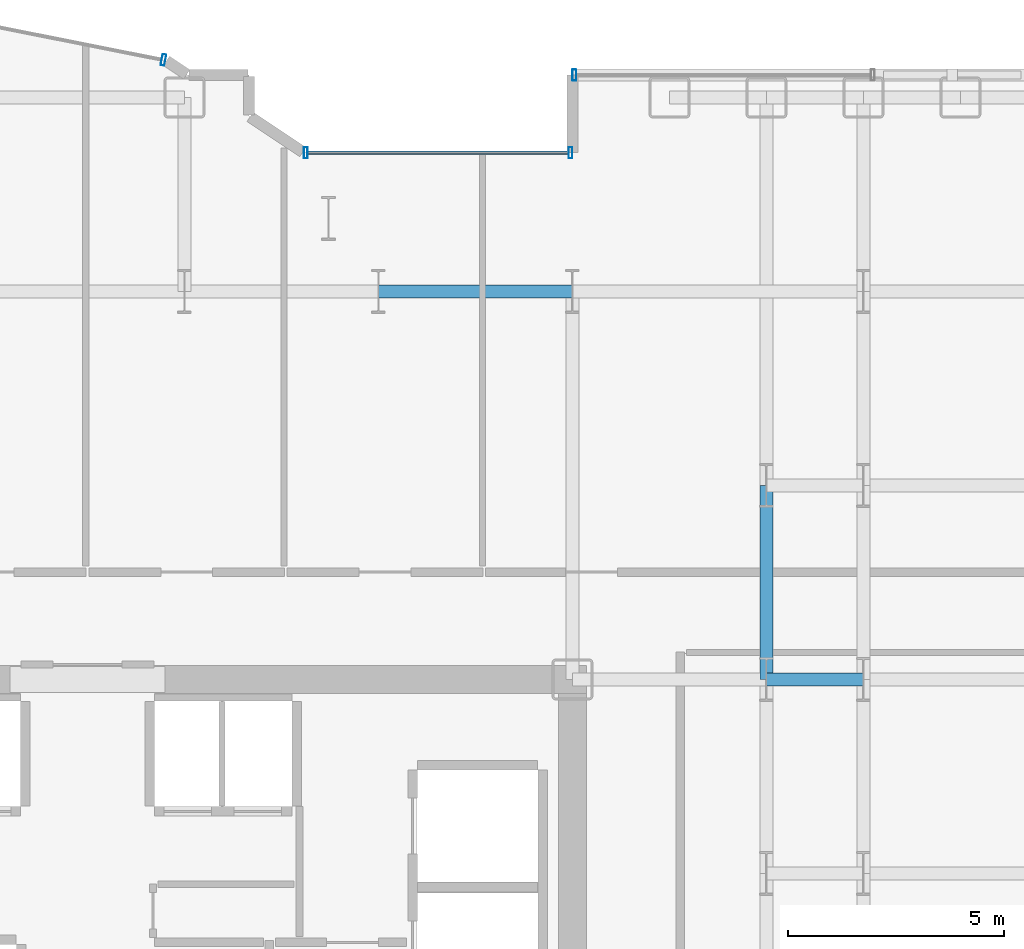
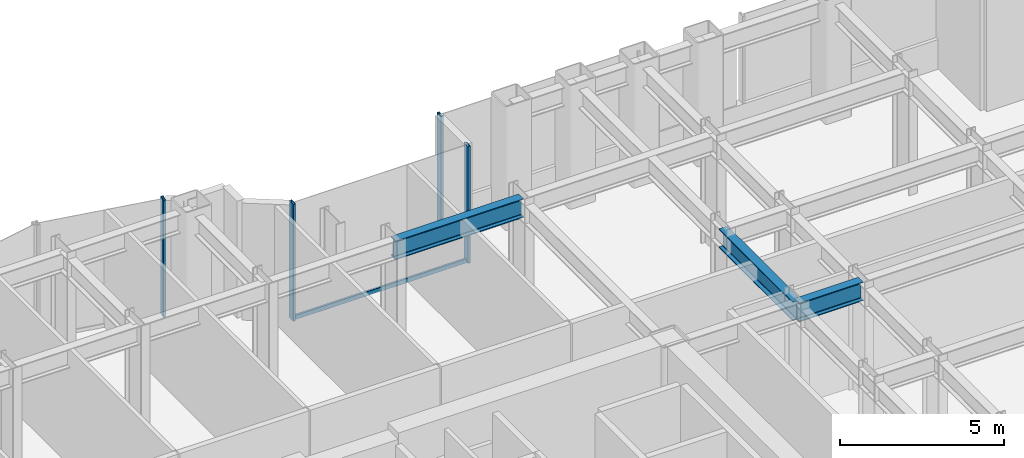
# One storey, part 15 of 30: 5 members, 3 beams, 3 elements without a shape of their own.
"""IFC4 building model written with IfcOpenShell, lengths in metres."""

import ifcopenshell
import ifcopenshell.guid

model = None  # the IFC model being written
_history = None  # IfcOwnerHistory: only IFC2X3 demands one
_inside = {}  # id of a spatial element -> (the spatial element, [elements in it])
_under = {}  # id of a project, library or spatial element -> (it, [spatial elements below it])
_declared = {}  # id of a project -> (the project, [libraries it declares])
_typed = {}  # id of a type object -> (the type object, [elements of that type])
_made_of = {}  # id of a material, layer set ... -> (it, [elements and type objects made of it])


def new_model(schema):
    """Start an empty IFC model of exactly this schema.

    Asked for "IFC4X3", IfcOpenShell would pick the latest addendum, in which some entities
    have other attributes; the version numbers below select the first issue.
    IFC2X3 requires an IfcOwnerHistory on every rooted entity: one is made here for all.
    """
    global model, _history
    if schema == "IFC4X3":
        model = ifcopenshell.file(schema_version=(4, 3, 0, 0))
    else:
        model = ifcopenshell.file(schema=schema)
    _inside.clear()
    _under.clear()
    _declared.clear()
    _typed.clear()
    _made_of.clear()
    _history = None
    if model.schema == "IFC2X3":
        org = make("IfcOrganization", Name="unknown")
        user = make(
            "IfcPersonAndOrganization",
            ThePerson=make("IfcPerson", FamilyName="unknown"),
            TheOrganization=org,
        )
        app = make(
            "IfcApplication",
            ApplicationDeveloper=org,
            Version="unknown",
            ApplicationFullName="unknown",
            ApplicationIdentifier="unknown",
        )
        _history = make(
            "IfcOwnerHistory",
            OwningUser=user,
            OwningApplication=app,
            ChangeAction="ADDED",
            CreationDate=0,
        )
    return model


def make(cls, **values):
    """One entity of the class cls with the attributes given. An attribute that is None is left unset."""
    return model.create_entity(
        cls, **{name: value for name, value in values.items() if value is not None}
    )


def rooted(cls, **values):
    """An entity with a GlobalId (a new one), such as an element, a storey or a relation."""
    return make(cls, GlobalId=ifcopenshell.guid.new(), OwnerHistory=_history, **values)


def si_unit(unit_type, name, prefix=None):
    """IfcSIUnit, for example si_unit("LENGTHUNIT", "METRE", prefix="MILLI")."""
    return make("IfcSIUnit", UnitType=unit_type, Prefix=prefix, Name=name)


def assignment(units):
    """IfcUnitAssignment: the units of a project."""
    return None if units is None else make("IfcUnitAssignment", Units=units)


def point(xyz):
    """IfcCartesianPoint."""
    return None if xyz is None else make("IfcCartesianPoint", Coordinates=xyz)


def direction(xyz):
    """IfcDirection."""
    return None if xyz is None else make("IfcDirection", DirectionRatios=xyz)


def frame(location, z_axis=None, x_axis=None):
    """IfcAxis2Placement3D, a coordinate frame: its origin and axes. An axis left out is left unset."""
    return make(
        "IfcAxis2Placement3D",
        Location=point(location),
        Axis=direction(z_axis),
        RefDirection=direction(x_axis),
    )


def frame_2d(location, x_axis=None):
    """IfcAxis2Placement2D, a coordinate frame in the plane: its origin and x axis."""
    return make(
        "IfcAxis2Placement2D", Location=point(location), RefDirection=direction(x_axis)
    )


def origin():
    """The frame at (0, 0, 0) with its axes left unset."""
    return frame((0.0, 0.0, 0.0))


def origin_2d():
    """The frame at (0, 0) in the plane with its x axis left unset."""
    return frame_2d((0.0, 0.0))


def place(relative_to, where):
    """IfcLocalPlacement: puts the frame where relative to a parent placement (None: the world)."""
    return make(
        "IfcLocalPlacement", PlacementRelTo=relative_to, RelativePlacement=where
    )


def context(
    kind, dimensions, precision=None, world=None, true_north=None, identifier=None
):
    """IfcGeometricRepresentationContext, for example the 3D "Model" context."""
    return make(
        "IfcGeometricRepresentationContext",
        ContextIdentifier=identifier,
        ContextType=kind,
        CoordinateSpaceDimension=dimensions,
        Precision=precision,
        WorldCoordinateSystem=world,
        TrueNorth=true_north,
    )


def subcontext(parent, identifier, kind, view, scale=None):
    """IfcGeometricRepresentationSubContext, for example "Body" below "Model"."""
    return make(
        "IfcGeometricRepresentationSubContext",
        ContextIdentifier=identifier,
        ContextType=kind,
        ParentContext=parent,
        TargetScale=scale,
        TargetView=view,
    )


def project(units=None, contexts=None):
    """IfcProject with its units and contexts."""
    return rooted(
        "IfcProject",
        Name="project",
        RepresentationContexts=contexts,
        UnitsInContext=assignment(units),
    )


def spatial(cls, under=None, at=None, **own):
    """A site, building, storey or space (cls), placed at a placement, below another one or the project."""
    s = rooted(cls, ObjectPlacement=at, **own)
    if under is not None:
        _under.setdefault(under.id(), (under, []))[1].append(s)
    return s


def profile(cls, at=None, kind="AREA", **sizes):
    """A parametric profile (cls). Its sizes go by their IFC names, for example OverallWidth=200.0."""
    return make(cls, ProfileType=kind, Position=at, **sizes)


def hollow_rectangle(**sizes):
    """IfcRectangleHollowProfileDef."""
    return profile("IfcRectangleHollowProfileDef", **sizes)


def i_section(**sizes):
    """IfcIShapeProfileDef."""
    return profile("IfcIShapeProfileDef", **sizes)


def extrude(swept, where, along, depth):
    """IfcExtrudedAreaSolid: the profile swept, set in the frame where, extruded along a direction by depth."""
    return make(
        "IfcExtrudedAreaSolid",
        SweptArea=swept,
        Position=where,
        ExtrudedDirection=direction(along),
        Depth=depth,
    )


def shape(context_of_items, identifier, shape_type, items):
    """IfcShapeRepresentation: the items that make up one representation, for example the "Body"."""
    return make(
        "IfcShapeRepresentation",
        ContextOfItems=context_of_items,
        RepresentationIdentifier=identifier,
        RepresentationType=shape_type,
        Items=items,
    )


def source(mapping_origin, context_of_items, identifier, shape_type, items):
    """IfcRepresentationMap: a shape defined once, which mapped items show again and again."""
    return make(
        "IfcRepresentationMap",
        MappingOrigin=mapping_origin,
        MappedRepresentation=shape(context_of_items, identifier, shape_type, items),
    )


def transform(
    local_origin,
    x_axis=None,
    y_axis=None,
    z_axis=None,
    scale=None,
    scale2=None,
    scale3=None,
    uniform=True,
):
    """IfcCartesianTransformationOperator3D, or its non-uniform kind. x_axis, y_axis, z_axis: its Axis1, 2, 3."""
    if uniform:
        return make(
            "IfcCartesianTransformationOperator3D",
            Axis1=direction(x_axis),
            Axis2=direction(y_axis),
            LocalOrigin=point(local_origin),
            Scale=scale,
            Axis3=direction(z_axis),
        )
    return make(
        "IfcCartesianTransformationOperator3DnonUniform",
        Axis1=direction(x_axis),
        Axis2=direction(y_axis),
        LocalOrigin=point(local_origin),
        Scale=scale,
        Axis3=direction(z_axis),
        Scale2=scale2,
        Scale3=scale3,
    )


def mapped(mapping_source, mapping_target):
    """IfcMappedItem: shows the shape of a source again, moved by a transform."""
    return make(
        "IfcMappedItem", MappingSource=mapping_source, MappingTarget=mapping_target
    )


def material(Name=None, Category=None):
    """IfcMaterial."""
    return make("IfcMaterial", Name=Name, Category=Category)


def layer(
    of_material, thickness, ventilated=None, Name=None, Category=None, Priority=None
):
    """IfcMaterialLayer: one layer of a wall or slab, of a material (None: an air gap)."""
    return make(
        "IfcMaterialLayer",
        Material=of_material,
        LayerThickness=thickness,
        IsVentilated=ventilated,
        Name=Name,
        Category=Category,
        Priority=Priority,
    )


def layer_set(layers, Name=None):
    """IfcMaterialLayerSet."""
    return make("IfcMaterialLayerSet", MaterialLayers=layers, LayerSetName=Name)


def material_profile(
    of_material, cross_section, Name=None, Category=None, Priority=None
):
    """IfcMaterialProfile: a cross section and its material."""
    return make(
        "IfcMaterialProfile",
        Name=Name,
        Material=of_material,
        Profile=cross_section,
        Priority=Priority,
        Category=Category,
    )


def profile_set(profiles, Name=None, composite=None):
    """IfcMaterialProfileSet."""
    return make(
        "IfcMaterialProfileSet",
        Name=Name,
        MaterialProfiles=profiles,
        CompositeProfile=composite,
    )


def made_of(thing, what):
    """Note that an element or type object is made of a material, layer set ...; save() writes the relation."""
    if what is not None:
        _made_of.setdefault(what.id(), (what, []))[1].append(thing)
    return thing


def type_object(cls, material=None, **own):
    """A type object (cls), such as IfcWallType, which elements share."""
    return made_of(rooted(cls, **own), material)


def element(
    cls,
    number,
    at=None,
    inside=None,
    cuts=None,
    type_object=None,
    material=None,
    context=None,
    identifier="Body",
    shape_type=None,
    held_by="IfcProductDefinitionShape",
    body=None,
    shapes=None,
    **own,
):
    """One element of the class cls, such as IfcWall. Its Tag is "e" and its number.

    at: its placement. inside: the storey or other place that contains it. cuts: it is an
    opening in that element (IfcRelVoidsElement). A single representation is given by context,
    identifier, shape_type and body (its items); several are given by shapes. held_by: the class
    of the entity that holds the representations. save() writes the other relations.
    """
    e = rooted(cls, Tag="e%d" % number, ObjectPlacement=at, **own)
    if body is not None:
        shapes = [shape(context, identifier, shape_type, body)]
    if shapes is not None:
        e.Representation = make(held_by, Representations=shapes)
    if inside is not None:
        _inside.setdefault(inside.id(), (inside, []))[1].append(e)
    if cuts is not None:
        rooted(
            "IfcRelVoidsElement", RelatingBuildingElement=cuts, RelatedOpeningElement=e
        )
    if type_object is not None:
        _typed.setdefault(type_object.id(), (type_object, []))[1].append(e)
    return made_of(e, material)


def aggregate(whole, parts):
    """IfcRelAggregates: a whole, such as a stair, and the parts it consists of."""
    return rooted("IfcRelAggregates", RelatingObject=whole, RelatedObjects=parts)


def save(model, path):
    """Write the relations noted so far, then the file.

    IfcRelAggregates (storeys below a building ...), IfcRelContainedInSpatialStructure (elements
    in a storey), IfcRelDefinesByType, IfcRelAssociatesMaterial and IfcRelDeclares: one each for
    every whole, place, type object, material and project.
    """
    for whole, parts in _under.values():
        aggregate(whole, parts)
    for where, things in _inside.values():
        rooted(
            "IfcRelContainedInSpatialStructure",
            RelatedElements=things,
            RelatingStructure=where,
        )
    for kind, things in _typed.values():
        rooted("IfcRelDefinesByType", RelatedObjects=things, RelatingType=kind)
    for what, things in _made_of.values():
        rooted("IfcRelAssociatesMaterial", RelatedObjects=things, RelatingMaterial=what)
    for by, libraries in _declared.values():
        rooted("IfcRelDeclares", RelatingContext=by, RelatedDefinitions=libraries)
    model.write(path)


model = new_model("IFC4")

# Units and contexts
model_context = context("Model", 3, precision=1e-05, world=origin(), true_north=direction((0.0, 1.0)))
body_context = subcontext(model_context, "Body", "Model", "MODEL_VIEW")
ifc_project = project(units=[si_unit("LENGTHUNIT", "METRE"), si_unit("AREAUNIT", "SQUARE_METRE"), si_unit("VOLUMEUNIT", "CUBIC_METRE"), si_unit("PLANEANGLEUNIT", "RADIAN"), si_unit("MASSUNIT", "GRAM", prefix="KILO")], contexts=[model_context])

# Site, building, storey
site_placement = place(None, origin())
site = spatial("IfcSite", under=ifc_project, at=site_placement, CompositionType="ELEMENT")
building_placement = place(site_placement, origin())
building = spatial("IfcBuilding", under=site, at=building_placement, Name="Nefas-Gora Pilgrimage Tower", CompositionType="ELEMENT")
storey_placement = place(building_placement, frame((0.0, 0.0, 86.199951171875)))
storey = spatial("IfcBuildingStorey", under=building, at=storey_placement, Name="L20", CompositionType="ELEMENT", Elevation=86.199951171875)

# Beams
ifc_material_1 = material(Name="Steel S355", Category="steel")
ifc_material_profile_1 = material_profile(ifc_material_1, i_section(OverallWidth=0.300048828125, OverallDepth=0.699951171875, WebThickness=0.01708984375, FlangeThickness=0.031982421875, FilletRadius=0.027099609375, at=origin_2d()), Name="HEB 700")
ifc_profile_set_1 = profile_set([ifc_material_profile_1], Name="Steel S355")
beam_type = type_object("IfcBeamType", Name="BM-GIR-HEB700", PredefinedType="BEAM", material=ifc_profile_set_1)
shared_shape_1 = source(origin(), body_context, "Body", "SweptSolid", [
    extrude(i_section(OverallWidth=0.300048828125, OverallDepth=0.699951171875, WebThickness=0.01708984375, FlangeThickness=0.031982421875, FilletRadius=0.027099609375, at=origin_2d()), origin(), (0.0, 0.0, 1.0), 4.5),
])
for number, where, z_axis, x_axis, name in (
    (1, (6.75, 18.0, 4.0), (1.0, 0.0, 0.0), (0.0, 1.0, 0.0), "L20 G-02 beam"),
    (2, (15.75, 9.0, 4.0), (0.0, 1.0, 0.0), (-1.0, 0.0, 0.0), "L20 G-02 beam"),
):
    element("IfcBeam", number, at=place(storey_placement, frame(where, z_axis=z_axis, x_axis=x_axis)), inside=storey, type_object=beam_type, Name=name, PredefinedType="BEAM", context=body_context, shape_type="MappedRepresentation", body=[
        mapped(shared_shape_1, transform((0.0, 0.0, 0.0), x_axis=(1.0, 0.0, 0.0), y_axis=(0.0, 1.0, 0.0), z_axis=(0.0, 0.0, 1.0), scale=1.0)),
    ])
shared_shape_2 = source(origin(), body_context, "Body", "SweptSolid", [
    extrude(i_section(OverallWidth=0.300048828125, OverallDepth=0.699951171875, WebThickness=0.01708984375, FlangeThickness=0.031982421875, FilletRadius=0.027099609375, at=origin_2d()), origin(), (0.0, 0.0, 1.0), 2.25),
])
beam_placement = place(storey_placement, frame((15.75, 9.0, 4.0), z_axis=(1.0, 0.0, 0.0), x_axis=(0.0, 1.0, 0.0)))
element("IfcBeam", 3, at=beam_placement, inside=storey, type_object=beam_type, Name="L20 G-02 beam", PredefinedType="BEAM", context=body_context, shape_type="MappedRepresentation", body=[
    mapped(shared_shape_2, transform((0.0, 0.0, 0.0), x_axis=(1.0, 0.0, 0.0), y_axis=(0.0, 1.0, 0.0), z_axis=(0.0, 0.0, 1.0), scale=1.0)),
])

# Curtain wall, members
ifc_material_2 = material(Name="Dark ceramic-fritted solar-control aluminium-glass curtain wall", Category="aluminium")
ifc_layer_1 = layer(ifc_material_2, 0.219970703125)
ifc_layer_set_1 = layer_set([ifc_layer_1], Name="Dark ceramic-fritted solar-control aluminium-glass curtain wall")
curtain_wall_type_1 = type_object("IfcCurtainWallType", Name="CW-SYS-5", PredefinedType="NOTDEFINED", material=ifc_layer_set_1)
curtain_wall_1_placement = place(storey_placement, origin())
curtain_wall_1 = element("IfcCurtainWall", 4, at=curtain_wall_1_placement, inside=storey, type_object=curtain_wall_type_1, Name="L20 Unitised Curtain Wall CW5", PredefinedType="NOTDEFINED")
ifc_material_3 = material(Name="Anodised architectural aluminium", Category="aluminium")
ifc_material_profile_2 = material_profile(ifc_material_3, hollow_rectangle(XDim=0.080078125, YDim=0.159912109375, WallThickness=0.00439453125, InnerFilletRadius=0.00439453125, OuterFilletRadius=0.009033203125, at=origin_2d()), Name="ALU TRANSOM 80x160")
ifc_profile_set_2 = profile_set([ifc_material_profile_2], Name="Anodised architectural aluminium")
member_type_1 = type_object("IfcMemberType", Name="CWM-TRN-5", PredefinedType="USERDEFINED", material=ifc_profile_set_2)
shared_shape_3 = source(origin(), body_context, "Body", "SweptSolid", [
    extrude(hollow_rectangle(XDim=0.080078125, YDim=0.159912109375, WallThickness=0.00439453125, InnerFilletRadius=0.00439453125, OuterFilletRadius=0.009033203125, at=origin_2d()), origin(), (0.0, 0.0, 1.0), 6.052001953125),
])
member_1_placement = place(storey_placement, frame((11.159912109375, 21.219970703125, 0.050048828125), z_axis=(-1.0, 0.0, 0.0), x_axis=(0.0, -1.0, 0.0)))
member_1 = element("IfcMember", 5, at=member_1_placement, type_object=member_type_1, Name="CW5 Spandrel Transom", ObjectType="TRANSOM", PredefinedType="USERDEFINED", context=body_context, shape_type="MappedRepresentation", body=[
    mapped(shared_shape_3, transform((0.0, 0.0, 0.0), x_axis=(1.0, 0.0, 0.0), y_axis=(0.0, 1.0, 0.0), z_axis=(0.0, 0.0, 1.0), scale=1.0)),
])
ifc_material_profile_3 = material_profile(ifc_material_3, hollow_rectangle(XDim=0.090087890625, YDim=0.260009765625, WallThickness=0.006103515625, InnerFilletRadius=0.006103515625, OuterFilletRadius=0.011962890625, at=origin_2d()), Name="ALU MULLION 90x260")
ifc_profile_set_3 = profile_set([ifc_material_profile_3], Name="Anodised architectural aluminium")
member_type_2 = type_object("IfcMemberType", Name="CWM-MUL-5", PredefinedType="MULLION", material=ifc_profile_set_3)
shared_shape_4 = source(origin(), body_context, "Body", "SweptSolid", [
    extrude(hollow_rectangle(XDim=0.090087890625, YDim=0.260009765625, WallThickness=0.006103515625, InnerFilletRadius=0.006103515625, OuterFilletRadius=0.011962890625, at=origin_2d()), origin(), (0.0, 0.0, 1.0), 4.35009765625),
])
member_2_placement = place(storey_placement, frame((11.205078125, 21.219970703125, 0.0), z_axis=(0.0, 0.0, 1.0), x_axis=(-1.0, 0.0, 0.0)))
member_2 = element("IfcMember", 6, at=member_2_placement, type_object=member_type_2, Name="CW5 Mullion 1", PredefinedType="MULLION", context=body_context, shape_type="MappedRepresentation", body=[
    mapped(shared_shape_4, transform((0.0, 0.0, 0.0), x_axis=(1.0, 0.0, 0.0), y_axis=(0.0, 1.0, 0.0), z_axis=(0.0, 0.0, 1.0), scale=1.0)),
])
member_3_placement = place(storey_placement, frame((5.06298828125, 21.219970703125, 0.0), z_axis=(0.0, 0.0, 1.0), x_axis=(-1.0, 0.0, 0.0)))
member_3 = element("IfcMember", 7, at=member_3_placement, type_object=member_type_2, Name="CW5 Mullion 2", PredefinedType="MULLION", context=body_context, shape_type="MappedRepresentation", body=[
    mapped(shared_shape_4, transform((0.0, 0.0, 0.0), x_axis=(1.0, 0.0, 0.0), y_axis=(0.0, 1.0, 0.0), z_axis=(0.0, 0.0, 1.0), scale=1.0)),
])
aggregate(curtain_wall_1, [member_2, member_3, member_1])

# Curtain wall, member
curtain_wall_2_placement = place(storey_placement, origin())
curtain_wall_2 = element("IfcCurtainWall", 8, at=curtain_wall_2_placement, inside=storey, type_object=curtain_wall_type_1, Name="L20 Unitised Curtain Wall CW5", PredefinedType="NOTDEFINED")
member_4_placement = place(storey_placement, frame((1.76318359375, 23.3740234375, 0.0), z_axis=(0.0, 0.0, 1.0), x_axis=(-0.980782896852, 0.195102304554, 0.0)))
member_4 = element("IfcMember", 9, at=member_4_placement, type_object=member_type_2, Name="CW5 Mullion 1", PredefinedType="MULLION", context=body_context, shape_type="MappedRepresentation", body=[
    mapped(shared_shape_4, transform((0.0, 0.0, 0.0), x_axis=(1.0, 0.0, 0.0), y_axis=(0.0, 1.0, 0.0), z_axis=(0.0, 0.0, 1.0), scale=1.0)),
])
aggregate(curtain_wall_2, [member_4])

ifc_layer_2 = layer(ifc_material_2, 0.219970703125)
ifc_layer_set_2 = layer_set([ifc_layer_2], Name="Dark ceramic-fritted solar-control aluminium-glass curtain wall")
curtain_wall_type_2 = type_object("IfcCurtainWallType", Name="CW-SYS-2", PredefinedType="NOTDEFINED", material=ifc_layer_set_2)
curtain_wall_3_placement = place(storey_placement, origin())
curtain_wall_3 = element("IfcCurtainWall", 10, at=curtain_wall_3_placement, inside=storey, type_object=curtain_wall_type_2, Name="L20 Unitised Curtain Wall CW2", PredefinedType="NOTDEFINED")
ifc_material_profile_4 = material_profile(ifc_material_3, hollow_rectangle(XDim=0.090087890625, YDim=0.260009765625, WallThickness=0.006103515625, InnerFilletRadius=0.006103515625, OuterFilletRadius=0.011962890625, at=origin_2d()), Name="ALU MULLION 90x260")
ifc_profile_set_4 = profile_set([ifc_material_profile_4], Name="Anodised architectural aluminium")
member_type_3 = type_object("IfcMemberType", Name="CWM-MUL-2", PredefinedType="MULLION", material=ifc_profile_set_4)
shared_shape_5 = source(origin(), body_context, "Body", "SweptSolid", [
    extrude(hollow_rectangle(XDim=0.090087890625, YDim=0.260009765625, WallThickness=0.006103515625, InnerFilletRadius=0.006103515625, OuterFilletRadius=0.011962890625, at=origin_2d()), origin(), (0.0, 0.0, 1.0), 4.35009765625),
])
member_5_placement = place(storey_placement, frame((11.294921875, 23.02001953125, 0.0), z_axis=(0.0, 0.0, 1.0), x_axis=(-1.0, 0.0, 0.0)))
member_5 = element("IfcMember", 11, at=member_5_placement, type_object=member_type_3, Name="CW2 Mullion 2", PredefinedType="MULLION", context=body_context, shape_type="MappedRepresentation", body=[
    mapped(shared_shape_5, transform((0.0, 0.0, 0.0), x_axis=(1.0, 0.0, 0.0), y_axis=(0.0, 1.0, 0.0), z_axis=(0.0, 0.0, 1.0), scale=1.0)),
])
aggregate(curtain_wall_3, [member_5])

save(model, "model.ifc")
